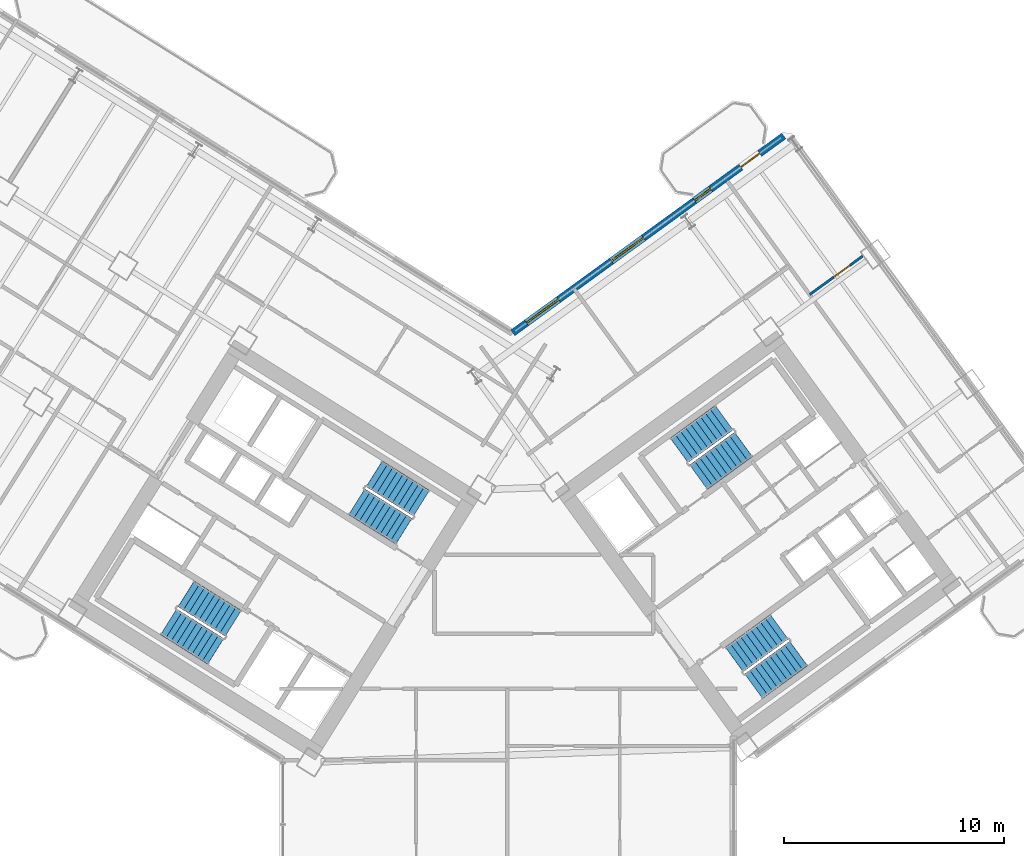
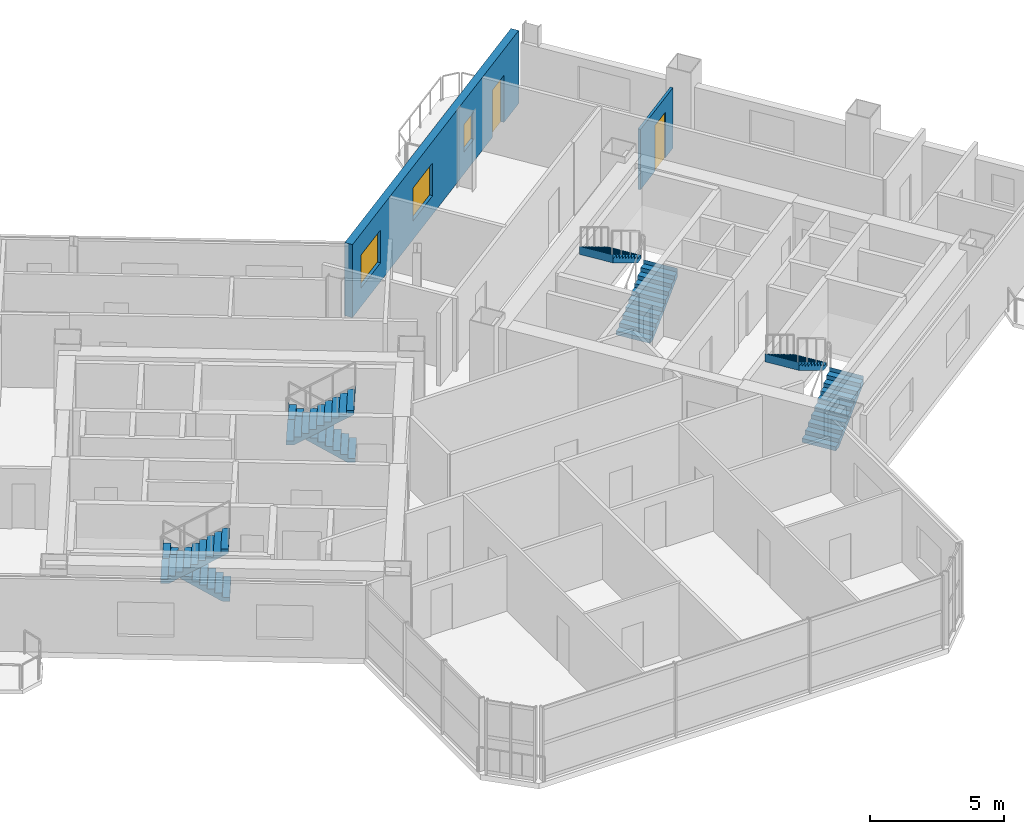
# One storey, part 16 of 21: 8 stair flights, 3 windows, 2 doors, 2 walls, 5 openings, 4 elements without a shape of their own.
"""IFC4 building model written with IfcOpenShell, lengths in metres."""

from ifc_helpers import new_model, si_unit, direction, frame, frame_2d, origin, place, context, subcontext, project, spatial, polyline, rectangle, outline, extrude, source, transform, mapped, material, layer, layer_set, type_object, element, fill, aggregate, save


model = new_model("IFC4")

# Units and contexts
model_context = context("Model", 3, precision=1e-05, world=origin(), true_north=direction((0.0, 1.0)))
body_context = subcontext(model_context, "Body", "Model", "MODEL_VIEW")
ifc_project = project(units=[si_unit("LENGTHUNIT", "METRE"), si_unit("AREAUNIT", "SQUARE_METRE"), si_unit("VOLUMEUNIT", "CUBIC_METRE"), si_unit("PLANEANGLEUNIT", "RADIAN"), si_unit("MASSUNIT", "GRAM", prefix="KILO")], contexts=[model_context])

# Site, building, storey
site_placement = place(None, origin())
site = spatial("IfcSite", under=ifc_project, at=site_placement, CompositionType="ELEMENT")
building_placement = place(site_placement, origin())
building = spatial("IfcBuilding", under=site, at=building_placement, Name="Tlacorven Tower", CompositionType="ELEMENT")
storey_placement = place(building_placement, frame((0.0, 0.0, 81.0)))
storey = spatial("IfcBuildingStorey", under=building, at=storey_placement, Name="L20", CompositionType="ELEMENT", Elevation=81.0)

# Wall, openings, door, windows
ifc_material_1 = material(Name="Precast concrete C45/55", Category="concrete")
ifc_layer_1 = layer(ifc_material_1, 0.320068359375)
ifc_layer_set_1 = layer_set([ifc_layer_1], Name="Precast concrete C45/55")
wall_type_1 = type_object("IfcWallType", Name="WL-EXT-320", PredefinedType="STANDARD", material=ifc_layer_set_1)
wall_1_placement = place(storey_placement, frame((42.20654296875, 31.597412109375, 0.0), z_axis=(0.0, 0.0, 1.0), x_axis=(0.809020333377, 0.587780656523, 0.0)))
wall_1 = element("IfcWall", 1, at=wall_1_placement, inside=storey, type_object=wall_type_1, Name="L20 Masonry-Frame Recessed Facade Wall 4", PredefinedType="STANDARD", context=body_context, shape_type="SweptSolid", body=[
    extrude(rectangle(XDim=15.222900390625, YDim=0.320068359375, at=frame_2d((7.611328125, 0.0))), origin(), (0.0, 0.0, 1.0), 3.320068359375),
])
opening_1_placement = place(wall_1_placement, frame((12.81982421875, 0.0, 0.0)))
opening_1 = element("IfcOpeningElement", 2, at=opening_1_placement, cuts=wall_1, Name="Opening D06", PredefinedType="OPENING", context=body_context, shape_type="SweptSolid", body=[
    extrude(rectangle(XDim=1.050048828125, YDim=2.14990234375, at=frame_2d((0.52490234375, 1.074951171875))), frame((0.0, 0.169921875, 0.0), z_axis=(0.0, -1.0, 0.0), x_axis=(1.0, 0.0, 0.0)), (0.0, 0.0, 1.0), 0.340087890625),
])
opening_2_placement = place(wall_1_placement, frame((0.774658203125, 0.0, 0.85009765625)))
opening_2 = element("IfcOpeningElement", 3, at=opening_2_placement, cuts=wall_1, Name="Opening WN01", PredefinedType="OPENING", context=body_context, shape_type="SweptSolid", body=[
    extrude(rectangle(XDim=1.800048828125, YDim=1.5, at=frame_2d((0.89990234375, 0.75))), frame((0.0, 0.169921875, 0.0), z_axis=(0.0, -1.0, 0.0), x_axis=(1.0, 0.0, 0.0)), (0.0, 0.0, 1.0), 0.340087890625),
])
opening_3_placement = place(wall_1_placement, frame((5.54443359375, 0.0, 0.85009765625)))
opening_3 = element("IfcOpeningElement", 4, at=opening_3_placement, cuts=wall_1, Name="Opening WN01", PredefinedType="OPENING", context=body_context, shape_type="SweptSolid", body=[
    extrude(rectangle(XDim=1.800048828125, YDim=1.5, at=frame_2d((0.89990234375, 0.75))), frame((0.0, 0.169921875, 0.0), z_axis=(0.0, -1.0, 0.0), x_axis=(1.0, 0.0, 0.0)), (0.0, 0.0, 1.0), 0.340087890625),
])
opening_4_placement = place(wall_1_placement, frame((10.219482421875, 0.0, 1.0)))
opening_4 = element("IfcOpeningElement", 5, at=opening_4_placement, cuts=wall_1, Name="Opening WN05", PredefinedType="OPENING", context=body_context, shape_type="SweptSolid", body=[
    extrude(rectangle(XDim=0.89990234375, YDim=1.25, at=frame_2d((0.449951171875, 0.625))), frame((0.0, 0.169921875, 0.0), z_axis=(0.0, -1.0, 0.0), x_axis=(1.0, 0.0, 0.0)), (0.0, 0.0, 1.0), 0.340087890625),
])
ifc_material_2 = material(Name="Powder-coated aluminium and timber door", Category="wood")
door_type_1 = type_object("IfcDoorType", Name="DR-EXT-BALC-1050", OperationType="NOTDEFINED", PredefinedType="DOOR", material=ifc_material_2)
shared_shape_1 = source(origin(), body_context, "Body", "SweptSolid", [
    extrude(rectangle(XDim=1.050048828125, YDim=2.14990234375, at=frame_2d((0.52490234375, 1.074951171875))), frame((0.0, 0.02490234375, 0.0), z_axis=(0.0, -1.0, 0.0), x_axis=(1.0, 0.0, 0.0)), (0.0, 0.0, 1.0), 0.050048828125),
])
door_1_placement = place(opening_1_placement, origin())
door_1 = element("IfcDoor", 6, at=door_1_placement, inside=storey, type_object=door_type_1, Name="L20 Outdoor Access Door BAL-L20-E-IN", OperationType="SINGLE_SWING_RIGHT", OverallHeight=2.14990234375, OverallWidth=1.050048828125, PredefinedType="DOOR", context=body_context, shape_type="MappedRepresentation", body=[
    mapped(shared_shape_1, transform((0.0, 0.0, 0.0), scale=1.0)),
])
fill(opening_1, door_1)
ifc_material_3 = material(Name="Dark solar low-E double glazing in anodised aluminium frame", Category="aluminium")
window_type_1 = type_object("IfcWindowType", Name="WN-APT-1800X1650", PartitioningType="SINGLE_PANEL", PredefinedType="WINDOW", material=ifc_material_3)
shared_shape_2 = source(origin(), body_context, "Body", "SweptSolid", [
    extrude(rectangle(XDim=1.800048828125, YDim=1.5, at=frame_2d((0.89990234375, 0.75))), frame((0.0, 0.030029296875, 0.0), z_axis=(0.0, -1.0, 0.0), x_axis=(1.0, 0.0, 0.0)), (0.0, 0.0, 1.0), 0.06005859375),
])
window_1_placement = place(opening_2_placement, origin())
window_1 = element("IfcWindow", 7, at=window_1_placement, inside=storey, type_object=window_type_1, Name="L20 Recessed Masonry-Frame Window L20-04.1", OverallHeight=1.5, OverallWidth=1.800048828125, PartitioningType="SINGLE_PANEL", PredefinedType="WINDOW", context=body_context, shape_type="MappedRepresentation", body=[
    mapped(shared_shape_2, transform((0.0, 0.0, 0.0), scale=1.0)),
])
fill(opening_2, window_1)
window_2_placement = place(opening_3_placement, origin())
window_2 = element("IfcWindow", 8, at=window_2_placement, inside=storey, type_object=window_type_1, Name="L20 Recessed Masonry-Frame Window L20-04.2", OverallHeight=1.5, OverallWidth=1.800048828125, PartitioningType="SINGLE_PANEL", PredefinedType="WINDOW", context=body_context, shape_type="MappedRepresentation", body=[
    mapped(shared_shape_2, transform((0.0, 0.0, 0.0), scale=1.0)),
])
fill(opening_3, window_2)
window_type_2 = type_object("IfcWindowType", Name="WN-APT-0900X1350", PartitioningType="SINGLE_PANEL", PredefinedType="WINDOW", material=ifc_material_3)
shared_shape_3 = source(origin(), body_context, "Body", "SweptSolid", [
    extrude(rectangle(XDim=0.89990234375, YDim=1.25, at=frame_2d((0.449951171875, 0.625))), frame((0.0, 0.030029296875, 0.0), z_axis=(0.0, -1.0, 0.0), x_axis=(1.0, 0.0, 0.0)), (0.0, 0.0, 1.0), 0.06005859375),
])
window_3_placement = place(opening_4_placement, origin())
window_3 = element("IfcWindow", 9, at=window_3_placement, inside=storey, type_object=window_type_2, Name="L20 Recessed Masonry-Frame Window L20-04.3", OverallHeight=1.25, OverallWidth=0.89990234375, PartitioningType="SINGLE_PANEL", PredefinedType="WINDOW", context=body_context, shape_type="MappedRepresentation", body=[
    mapped(shared_shape_3, transform((0.0, 0.0, 0.0), scale=1.0)),
])
fill(opening_4, window_3)

# Wall, opening, door
ifc_material_4 = material(Name="Gypsum plasterboard partition", Category="gypsum")
ifc_layer_2 = layer(ifc_material_4, 0.110107421875)
ifc_layer_set_2 = layer_set([ifc_layer_2], Name="Gypsum plasterboard partition")
wall_type_2 = type_object("IfcWallType", Name="WL-INT-110", PredefinedType="PARTITIONING", material=ifc_layer_set_2)
wall_2_placement = place(storey_placement, frame((55.70263671875, 33.333984375, 0.0), z_axis=(0.0, 0.0, 1.0), x_axis=(0.809065651839, 0.587718275209, 0.0)))
wall_2 = element("IfcWall", 10, at=wall_2_placement, inside=storey, type_object=wall_type_2, Name="L20 partition 98", PredefinedType="PARTITIONING", context=body_context, shape_type="SweptSolid", body=[
    extrude(rectangle(XDim=2.97802734375, YDim=0.110107421875, at=frame_2d((1.489013671875, 0.0))), origin(), (0.0, 0.0, 1.0), 2.7451171875),
])
opening_5_placement = place(wall_2_placement, frame((1.344970703125, 0.0, 0.0)))
opening_5 = element("IfcOpeningElement", 11, at=opening_5_placement, cuts=wall_2, Name="Opening D12", PredefinedType="OPENING", context=body_context, shape_type="SweptSolid", body=[
    extrude(rectangle(XDim=0.919921875, YDim=2.080078125, at=frame_2d((0.4599609375, 1.0400390625))), frame((0.0, 0.06494140625, 0.0), z_axis=(0.0, -1.0, 0.0), x_axis=(1.0, 0.0, 0.0)), (0.0, 0.0, 1.0), 0.130126953125),
])
door_type_2 = type_object("IfcDoorType", Name="DR-INT-ROOM-0920", OperationType="NOTDEFINED", PredefinedType="DOOR", material=ifc_material_2)
shared_shape_4 = source(origin(), body_context, "Body", "SweptSolid", [
    extrude(rectangle(XDim=0.919921875, YDim=2.080078125, at=frame_2d((0.4599609375, 1.0400390625))), frame((0.0, 0.02490234375, 0.0), z_axis=(0.0, -1.0, 0.0), x_axis=(1.0, 0.0, 0.0)), (0.0, 0.0, 1.0), 0.050048828125),
])
door_2_placement = place(opening_5_placement, origin())
door_2 = element("IfcDoor", 12, at=door_2_placement, inside=storey, type_object=door_type_2, Name="L20 door 058", OperationType="SINGLE_SWING_LEFT", OverallHeight=2.080078125, OverallWidth=0.919921875, PredefinedType="DOOR", context=body_context, shape_type="MappedRepresentation", body=[
    mapped(shared_shape_4, transform((0.0, 0.0, 0.0), scale=1.0)),
])
fill(opening_5, door_2)

# Stair, stair flights
ifc_material_5 = material(Name="Concrete C40/50", Category="concrete")
stair_type = type_object("IfcStairType", Name="ST-CORE-DLG", PredefinedType="HALF_TURN_STAIR", material=ifc_material_5)
stair_1_placement = place(storey_placement, origin())
stair_1 = element("IfcStair", 13, at=stair_1_placement, inside=storey, type_object=stair_type, Name="L20 Protected Exit Stair West 1", PredefinedType="HALF_TURN_STAIR")
stair_flight_type = type_object("IfcStairFlightType", Name="SFL-RC-1380", PredefinedType="STRAIGHT", material=ifc_material_5)
shared_shape_5 = source(origin(), body_context, "Body", "SweptSolid", [
    extrude(outline(polyline([(-0.0029296875, -0.0029296875), (-0.0029296875, 0.179931640625), (0.280029296875, 0.179931640625), (0.280029296875, 0.360107421875), (0.56005859375, 0.360107421875), (0.56005859375, 0.5400390625), (0.840087890625, 0.5400390625), (0.840087890625, 0.719970703125), (1.1201171875, 0.719970703125), (1.1201171875, 0.89990234375), (1.39990234375, 0.89990234375), (1.39990234375, 1.080078125), (1.679931640625, 1.080078125), (1.679931640625, 1.260009765625), (1.9599609375, 1.260009765625), (1.9599609375, 1.43994140625), (2.239990234375, 1.43994140625), (2.239990234375, 1.6201171875), (2.52001953125, 1.6201171875), (2.52001953125, 1.800048828125), (2.52294921875, 1.800048828125), (2.52294921875, 1.429931640625), (2.52001953125, 1.429931640625), (0.295654296875, 0.0), (0.295654296875, -0.0029296875), (-0.0029296875, -0.0029296875)])), frame((0.0, 0.68994140625, 0.0), z_axis=(0.0, -1.0, 0.0), x_axis=(1.0, 0.0, 0.0)), (0.0, 0.0, 1.0), 1.3798828125),
])
stair_flight_1_placement = place(storey_placement, frame((29.499755859375, 18.39453125, 0.0), z_axis=(0.0, 0.0, 1.0), x_axis=(-0.848048096156, 0.529919264233, 0.0)))
stair_flight_1 = element("IfcStairFlight", 14, at=stair_flight_1_placement, type_object=stair_flight_type, Name="ST-W1 flight 1", NumberOfRisers=10, NumberOfTreads=9, PredefinedType="STRAIGHT", RiserHeight=0.18, TreadLength=0.28, context=body_context, shape_type="MappedRepresentation", body=[
    mapped(shared_shape_5, transform((0.0, 0.0, 0.0), scale=1.0)),
])
stair_flight_2_placement = place(storey_placement, frame((26.56787109375, 18.4580078125, 1.800048828125), z_axis=(0.0, 0.0, 1.0), x_axis=(0.848048096156, -0.529919264233, 0.0)))
stair_flight_2 = element("IfcStairFlight", 15, at=stair_flight_2_placement, type_object=stair_flight_type, Name="ST-W1 flight 2", NumberOfRisers=10, NumberOfTreads=9, PredefinedType="STRAIGHT", RiserHeight=0.18, TreadLength=0.28, context=body_context, shape_type="MappedRepresentation", body=[
    mapped(shared_shape_5, transform((0.0, 0.0, 0.0), scale=1.0)),
])
aggregate(stair_1, [stair_flight_1, stair_flight_2])

stair_2_placement = place(storey_placement, origin())
stair_2 = element("IfcStair", 16, at=stair_2_placement, inside=storey, type_object=stair_type, Name="L20 Protected Exit Stair West 2", PredefinedType="HALF_TURN_STAIR")
stair_flight_3_placement = place(storey_placement, frame((38.051513671875, 23.852294921875, 0.0), z_axis=(0.0, 0.0, 1.0), x_axis=(-0.848048096156, 0.529919264233, 0.0)))
stair_flight_3 = element("IfcStairFlight", 17, at=stair_flight_3_placement, type_object=stair_flight_type, Name="ST-W2 flight 1", NumberOfRisers=10, NumberOfTreads=9, PredefinedType="STRAIGHT", RiserHeight=0.18, TreadLength=0.28, context=body_context, shape_type="MappedRepresentation", body=[
    mapped(shared_shape_5, transform((0.0, 0.0, 0.0), scale=1.0)),
])
stair_flight_4_placement = place(storey_placement, frame((35.119384765625, 23.91552734375, 1.800048828125), z_axis=(0.0, 0.0, 1.0), x_axis=(0.848048096156, -0.529919264233, 0.0)))
stair_flight_4 = element("IfcStairFlight", 18, at=stair_flight_4_placement, type_object=stair_flight_type, Name="ST-W2 flight 2", NumberOfRisers=10, NumberOfTreads=9, PredefinedType="STRAIGHT", RiserHeight=0.18, TreadLength=0.28, context=body_context, shape_type="MappedRepresentation", body=[
    mapped(shared_shape_5, transform((0.0, 0.0, 0.0), scale=1.0)),
])
aggregate(stair_2, [stair_flight_3, stair_flight_4])

stair_3_placement = place(storey_placement, origin())
stair_3 = element("IfcStair", 19, at=stair_3_placement, inside=storey, type_object=stair_type, Name="L20 Protected Exit Stair East 1", PredefinedType="HALF_TURN_STAIR")
stair_flight_5_placement = place(storey_placement, frame((50.6533203125, 25.0400390625, 0.0), z_axis=(0.0, 0.0, 1.0), x_axis=(0.809016994375, 0.587785252292, 0.0)))
stair_flight_5 = element("IfcStairFlight", 20, at=stair_flight_5_placement, type_object=stair_flight_type, Name="ST-E1 flight 1", NumberOfRisers=10, NumberOfTreads=9, PredefinedType="STRAIGHT", RiserHeight=0.18, TreadLength=0.28, context=body_context, shape_type="MappedRepresentation", body=[
    mapped(shared_shape_5, transform((0.0, 0.0, 0.0), scale=1.0)),
])
stair_flight_6_placement = place(storey_placement, frame((51.810546875, 27.734619140625, 1.800048828125), z_axis=(0.0, 0.0, 1.0), x_axis=(-0.809016994375, -0.587785252292, 0.0)))
stair_flight_6 = element("IfcStairFlight", 21, at=stair_flight_6_placement, type_object=stair_flight_type, Name="ST-E1 flight 2", NumberOfRisers=10, NumberOfTreads=9, PredefinedType="STRAIGHT", RiserHeight=0.18, TreadLength=0.28, context=body_context, shape_type="MappedRepresentation", body=[
    mapped(shared_shape_5, transform((0.0, 0.0, 0.0), scale=1.0)),
])
aggregate(stair_3, [stair_flight_5, stair_flight_6])

stair_4_placement = place(storey_placement, origin())
stair_4 = element("IfcStair", 22, at=stair_4_placement, inside=storey, type_object=stair_type, Name="L20 Protected Exit Stair East 2", PredefinedType="HALF_TURN_STAIR")
stair_flight_7_placement = place(storey_placement, frame((53.157470703125, 15.536865234375, 0.0), z_axis=(0.0, 0.0, 1.0), x_axis=(0.809016994375, 0.587785252292, 0.0)))
stair_flight_7 = element("IfcStairFlight", 23, at=stair_flight_7_placement, type_object=stair_flight_type, Name="ST-E2 flight 1", NumberOfRisers=10, NumberOfTreads=9, PredefinedType="STRAIGHT", RiserHeight=0.18, TreadLength=0.28, context=body_context, shape_type="MappedRepresentation", body=[
    mapped(shared_shape_5, transform((0.0, 0.0, 0.0), scale=1.0)),
])
stair_flight_8_placement = place(storey_placement, frame((54.314453125, 18.231689453125, 1.800048828125), z_axis=(0.0, 0.0, 1.0), x_axis=(-0.809016994375, -0.587785252292, 0.0)))
stair_flight_8 = element("IfcStairFlight", 24, at=stair_flight_8_placement, type_object=stair_flight_type, Name="ST-E2 flight 2", NumberOfRisers=10, NumberOfTreads=9, PredefinedType="STRAIGHT", RiserHeight=0.18, TreadLength=0.28, context=body_context, shape_type="MappedRepresentation", body=[
    mapped(shared_shape_5, transform((0.0, 0.0, 0.0), scale=1.0)),
])
aggregate(stair_4, [stair_flight_7, stair_flight_8])

save(model, "model.ifc")
